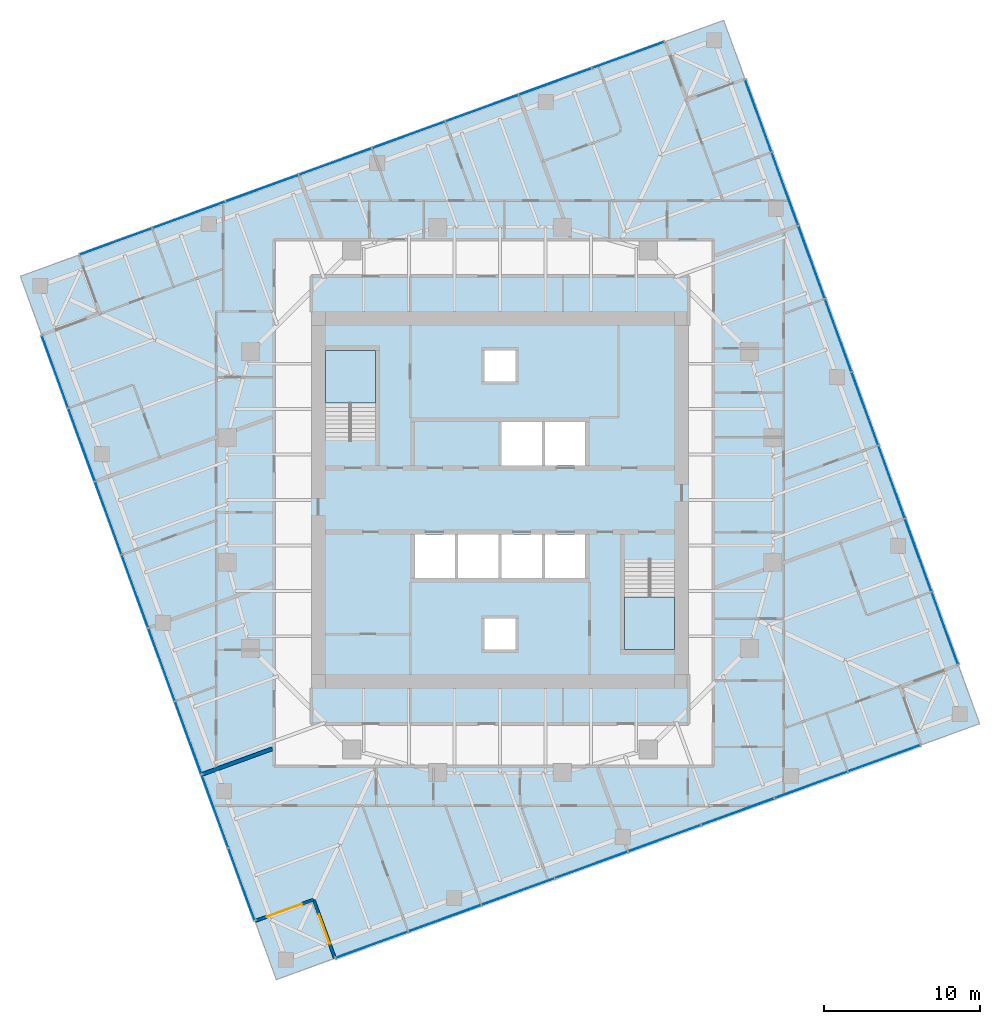
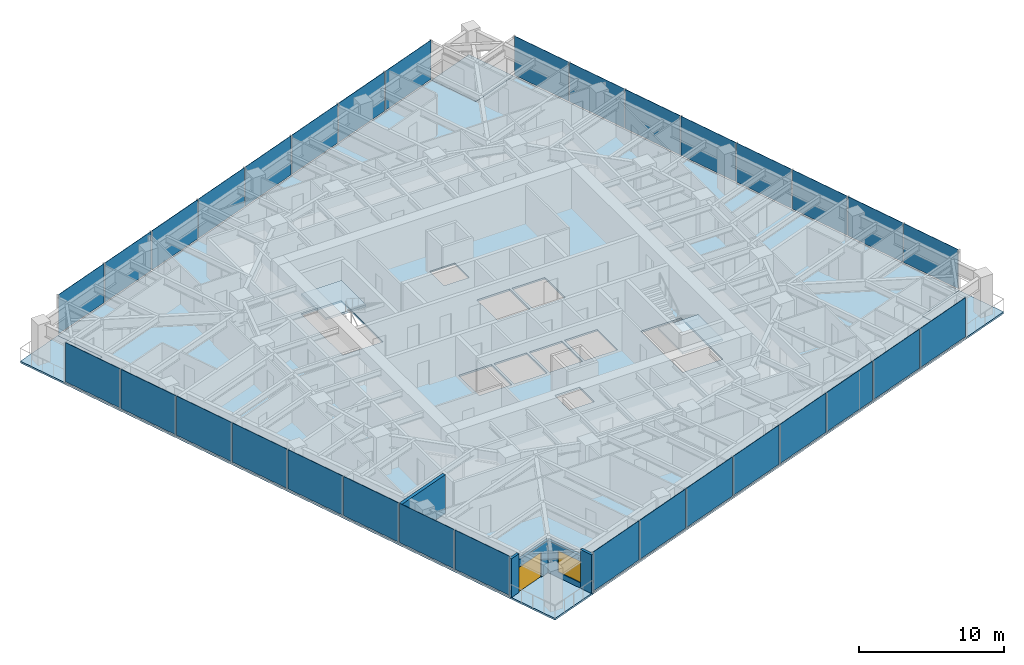
# One storey, part 6 of 13: 32 plates, 7 slabs, 5 walls, 1 door, 1 window, 2 openings, 6 elements without a shape of their own.
"""IFC4 building model written with IfcOpenShell, lengths in metres."""

from ifc_helpers import new_model, si_unit, direction, frame, frame_2d, origin, origin_2d, place, context, subcontext, project, spatial, polyline, rectangle, outline, extrude, material, layer, layer_set, type_object, element, fill, aggregate, save


model = new_model("IFC4")

# Units and contexts
model_context = context("Model", 3, precision=1e-05, world=origin(), true_north=direction((0.0, 1.0)))
body_context = subcontext(model_context, "Body", "Model", "MODEL_VIEW")
ifc_project = project(units=[si_unit("LENGTHUNIT", "METRE"), si_unit("AREAUNIT", "SQUARE_METRE"), si_unit("VOLUMEUNIT", "CUBIC_METRE"), si_unit("PLANEANGLEUNIT", "RADIAN"), si_unit("MASSUNIT", "GRAM", prefix="KILO")], contexts=[model_context])

# Site, building, storey
site_placement = place(None, origin())
site = spatial("IfcSite", under=ifc_project, at=site_placement, CompositionType="ELEMENT")
building_placement = place(site_placement, origin())
building = spatial("IfcBuilding", under=site, at=building_placement, Name="Torsade Residences", CompositionType="ELEMENT")
storey_placement = place(building_placement, frame((0.0, 0.0, 164.199951171875)))
storey = spatial("IfcBuildingStorey", under=building, at=storey_placement, Name="L45", CompositionType="ELEMENT", Elevation=164.199951171875)

# Slab
ifc_material_1 = material(Name="Concrete 40 MPa", Category="concrete")
ifc_layer_1 = layer(ifc_material_1, 0.14990234375)
ifc_layer_set_1 = layer_set([ifc_layer_1], Name="Concrete 40 MPa")
slab_type_1 = type_object("IfcSlabType", Name="COMPOSITE FLOOR SLAB 150", PredefinedType="FLOOR", material=ifc_layer_set_1)
slab_1_placement = place(storey_placement, frame((0.0, 0.0, -0.14990234375)))
element("IfcSlab", 1, at=slab_1_placement, inside=storey, type_object=slab_type_1, Name="Floor slab L45", PredefinedType="FLOOR", context=body_context, shape_type="SweptSolid", body=[
    extrude(outline(polyline([(29.41455078125, 0.60693359375), (67.00244140625, 14.287841796875), (65.63427734375, 18.046630859375), (69.39306640625, 19.41455078125), (55.712158203125, 57.00244140625), (51.953369140625, 55.63427734375), (50.58544921875, 59.39306640625), (12.99755859375, 45.712158203125), (14.36572265625, 41.953369140625), (10.60693359375, 40.58544921875), (24.287841796875, 2.99755859375), (28.046630859375, 4.36572265625), (29.41455078125, 0.60693359375)]), holes=[polyline([(51.199951171875, 26.1201171875), (48.0, 26.1201171875), (48.0, 20.39990234375), (51.199951171875, 20.39990234375), (51.199951171875, 26.1201171875)]), polyline([(45.5, 27.800048828125), (42.89990234375, 27.800048828125), (42.89990234375, 25.0), (45.5, 25.0), (45.5, 27.800048828125)]), polyline([(45.5, 35.0), (42.89990234375, 35.0), (42.89990234375, 32.199951171875), (45.5, 32.199951171875), (45.5, 35.0)]), polyline([(42.699951171875, 25.0), (42.699951171875, 27.800048828125), (40.10009765625, 27.800048828125), (40.10009765625, 25.0), (42.699951171875, 25.0)]), polyline([(42.699951171875, 35.0), (40.10009765625, 35.0), (40.10009765625, 32.199951171875), (42.699951171875, 32.199951171875), (42.699951171875, 35.0)]), polyline([(41.0, 22.39990234375), (39.0, 22.39990234375), (39.0, 20.39990234375), (41.0, 20.39990234375), (41.0, 22.39990234375)]), polyline([(41.0, 37.60009765625), (41.0, 39.60009765625), (39.0, 39.60009765625), (39.0, 37.60009765625), (41.0, 37.60009765625)]), polyline([(39.89990234375, 25.0), (39.89990234375, 27.800048828125), (37.300048828125, 27.800048828125), (37.300048828125, 25.0), (39.89990234375, 25.0)]), polyline([(37.10009765625, 27.800048828125), (34.5, 27.800048828125), (34.5, 25.0), (37.10009765625, 25.0), (37.10009765625, 27.800048828125)]), polyline([(32.0, 33.8798828125), (32.0, 39.60009765625), (28.800048828125, 39.60009765625), (28.800048828125, 33.8798828125), (32.0, 33.8798828125)])]), origin(), (0.0, 0.0, 1.0), 0.14990234375),
])

# Curtain wall, plates
ifc_material_2 = material(Name="Aluminium and glass", Category="aluminium")
curtain_wall_type = type_object("IfcCurtainWallType", Name="FRITTED GLASS CURTAIN WALL MID ZONE", PredefinedType="NOTDEFINED", material=ifc_material_2)
curtain_wall_1_placement = place(storey_placement, origin())
curtain_wall_1 = element("IfcCurtainWall", 2, at=curtain_wall_1_placement, inside=storey, type_object=curtain_wall_type, Name="Curtain wall L45 face 1", PredefinedType="NOTDEFINED")
ifc_material_3 = material(Name="Laminated glass", Category="glass")
ifc_layer_2 = layer(ifc_material_3, 0.031982421875)
ifc_layer_set_2 = layer_set([ifc_layer_2], Name="Laminated glass")
plate_type_1 = type_object("IfcPlateType", Name="FRITTED GLASS PANEL", PredefinedType="CURTAIN_PANEL", material=ifc_layer_set_2)
plate_1_placement = place(storey_placement, frame((31.78271484375, 1.46875, 0.110107421875), z_axis=(0.0, 0.0, 1.0), x_axis=(0.939692619132, 0.342020147869, 0.0)))
plate_1 = element("IfcPlate", 3, at=plate_1_placement, type_object=plate_type_1, Name="Panel 1", PredefinedType="CURTAIN_PANEL", context=body_context, shape_type="SweptSolid", body=[
    extrude(rectangle(XDim=4.8798828125, YDim=0.031982421875, at=origin_2d()), origin(), (0.0, 0.0, 1.0), 3.2900390625),
])
plate_2_placement = place(storey_placement, frame((41.160888671875, 4.88232421875, 0.110107421875), z_axis=(0.0, 0.0, 1.0), x_axis=(0.939692619132, 0.342020147869, 0.0)))
plate_2 = element("IfcPlate", 4, at=plate_2_placement, type_object=plate_type_1, Name="Panel 3", PredefinedType="CURTAIN_PANEL", context=body_context, shape_type="SweptSolid", body=[
    extrude(rectangle(XDim=4.919921875, YDim=0.031982421875, at=origin_2d()), origin(), (0.0, 0.0, 1.0), 3.2900390625),
])
plate_3_placement = place(storey_placement, frame((45.859130859375, 6.59228515625, 0.110107421875), z_axis=(0.0, 0.0, 1.0), x_axis=(0.939692619132, 0.342020147869, 0.0)))
plate_3 = element("IfcPlate", 5, at=plate_3_placement, type_object=plate_type_1, Name="Panel 4", PredefinedType="CURTAIN_PANEL", context=body_context, shape_type="SweptSolid", body=[
    extrude(rectangle(XDim=4.919921875, YDim=0.031982421875, at=origin_2d()), origin(), (0.0, 0.0, 1.0), 3.2900390625),
])
plate_4_placement = place(storey_placement, frame((50.5576171875, 8.302490234375, 0.110107421875), z_axis=(0.0, 0.0, 1.0), x_axis=(0.939692619132, 0.342020147869, 0.0)))
plate_4 = element("IfcPlate", 6, at=plate_4_placement, type_object=plate_type_1, Name="Panel 5", PredefinedType="CURTAIN_PANEL", context=body_context, shape_type="SweptSolid", body=[
    extrude(rectangle(XDim=4.919921875, YDim=0.031982421875, at=origin_2d()), origin(), (0.0, 0.0, 1.0), 3.2900390625),
])
plate_5_placement = place(storey_placement, frame((59.95458984375, 11.72265625, 0.110107421875), z_axis=(0.0, 0.0, 1.0), x_axis=(0.939692619132, 0.342020147869, 0.0)))
plate_5 = element("IfcPlate", 7, at=plate_5_placement, type_object=plate_type_1, Name="Panel 7", PredefinedType="CURTAIN_PANEL", context=body_context, shape_type="SweptSolid", body=[
    extrude(rectangle(XDim=4.919921875, YDim=0.031982421875, at=origin_2d()), origin(), (0.0, 0.0, 1.0), 3.2900390625),
])
plate_6_placement = place(storey_placement, frame((64.63427734375, 13.42578125, 0.110107421875), z_axis=(0.0, 0.0, 1.0), x_axis=(0.939692619132, 0.342020147869, 0.0)))
plate_6 = element("IfcPlate", 8, at=plate_6_placement, type_object=plate_type_1, Name="Panel 8", PredefinedType="CURTAIN_PANEL", context=body_context, shape_type="SweptSolid", body=[
    extrude(rectangle(XDim=4.8798828125, YDim=0.031982421875, at=origin_2d()), origin(), (0.0, 0.0, 1.0), 3.2900390625),
])

curtain_wall_2_placement = place(storey_placement, origin())
curtain_wall_2 = element("IfcCurtainWall", 9, at=curtain_wall_2_placement, inside=storey, type_object=curtain_wall_type, Name="Curtain wall L45 face 4", PredefinedType="NOTDEFINED")
plate_7_placement = place(storey_placement, frame((68.53125, 21.78271484375, 0.110107421875), z_axis=(0.0, 0.0, 1.0), x_axis=(-0.342020147869, 0.939692619132, 0.0)))
plate_7 = element("IfcPlate", 10, at=plate_7_placement, type_object=plate_type_1, Name="Panel 1", PredefinedType="CURTAIN_PANEL", context=body_context, shape_type="SweptSolid", body=[
    extrude(rectangle(XDim=4.8798828125, YDim=0.031982421875, at=origin_2d()), origin(), (0.0, 0.0, 1.0), 3.2900390625),
])
plate_8_placement = place(storey_placement, frame((65.11767578125, 31.160888671875, 0.110107421875), z_axis=(0.0, 0.0, 1.0), x_axis=(-0.342020147869, 0.939692619132, 0.0)))
plate_8 = element("IfcPlate", 11, at=plate_8_placement, type_object=plate_type_1, Name="Panel 3", PredefinedType="CURTAIN_PANEL", context=body_context, shape_type="SweptSolid", body=[
    extrude(rectangle(XDim=4.919921875, YDim=0.031982421875, at=origin_2d()), origin(), (0.0, 0.0, 1.0), 3.2900390625),
])
plate_9_placement = place(storey_placement, frame((63.40771484375, 35.859130859375, 0.110107421875), z_axis=(0.0, 0.0, 1.0), x_axis=(-0.342020147869, 0.939692619132, 0.0)))
plate_9 = element("IfcPlate", 12, at=plate_9_placement, type_object=plate_type_1, Name="Panel 4", PredefinedType="CURTAIN_PANEL", context=body_context, shape_type="SweptSolid", body=[
    extrude(rectangle(XDim=4.919921875, YDim=0.031982421875, at=origin_2d()), origin(), (0.0, 0.0, 1.0), 3.2900390625),
])
plate_10_placement = place(storey_placement, frame((61.697509765625, 40.5576171875, 0.110107421875), z_axis=(0.0, 0.0, 1.0), x_axis=(-0.342020147869, 0.939692619132, 0.0)))
plate_10 = element("IfcPlate", 13, at=plate_10_placement, type_object=plate_type_1, Name="Panel 5", PredefinedType="CURTAIN_PANEL", context=body_context, shape_type="SweptSolid", body=[
    extrude(rectangle(XDim=4.919921875, YDim=0.031982421875, at=origin_2d()), origin(), (0.0, 0.0, 1.0), 3.2900390625),
])
plate_11_placement = place(storey_placement, frame((58.27734375, 49.95458984375, 0.110107421875), z_axis=(0.0, 0.0, 1.0), x_axis=(-0.342020147869, 0.939692619132, 0.0)))
plate_11 = element("IfcPlate", 14, at=plate_11_placement, type_object=plate_type_1, Name="Panel 7", PredefinedType="CURTAIN_PANEL", context=body_context, shape_type="SweptSolid", body=[
    extrude(rectangle(XDim=4.919921875, YDim=0.031982421875, at=origin_2d()), origin(), (0.0, 0.0, 1.0), 3.2900390625),
])
plate_12_placement = place(storey_placement, frame((56.57421875, 54.63427734375, 0.110107421875), z_axis=(0.0, 0.0, 1.0), x_axis=(-0.342020147869, 0.939692619132, 0.0)))
plate_12 = element("IfcPlate", 15, at=plate_12_placement, type_object=plate_type_1, Name="Panel 8", PredefinedType="CURTAIN_PANEL", context=body_context, shape_type="SweptSolid", body=[
    extrude(rectangle(XDim=4.8798828125, YDim=0.031982421875, at=origin_2d()), origin(), (0.0, 0.0, 1.0), 3.2900390625),
])

curtain_wall_3_placement = place(storey_placement, origin())
curtain_wall_3 = element("IfcCurtainWall", 16, at=curtain_wall_3_placement, inside=storey, type_object=curtain_wall_type, Name="Curtain wall L45 face 7", PredefinedType="NOTDEFINED")
plate_13_placement = place(storey_placement, frame((48.21728515625, 58.53125, 0.110107421875), z_axis=(0.0, 0.0, 1.0), x_axis=(-0.939692619132, -0.342020147869, 0.0)))
plate_13 = element("IfcPlate", 17, at=plate_13_placement, type_object=plate_type_1, Name="Panel 1", PredefinedType="CURTAIN_PANEL", context=body_context, shape_type="SweptSolid", body=[
    extrude(rectangle(XDim=4.8798828125, YDim=0.031982421875, at=origin_2d()), origin(), (0.0, 0.0, 1.0), 3.2900390625),
])
plate_14_placement = place(storey_placement, frame((38.839111328125, 55.11767578125, 0.110107421875), z_axis=(0.0, 0.0, 1.0), x_axis=(-0.939692619132, -0.342020147869, 0.0)))
plate_14 = element("IfcPlate", 18, at=plate_14_placement, type_object=plate_type_1, Name="Panel 3", PredefinedType="CURTAIN_PANEL", context=body_context, shape_type="SweptSolid", body=[
    extrude(rectangle(XDim=4.919921875, YDim=0.031982421875, at=origin_2d()), origin(), (0.0, 0.0, 1.0), 3.2900390625),
])
plate_15_placement = place(storey_placement, frame((34.140869140625, 53.40771484375, 0.110107421875), z_axis=(0.0, 0.0, 1.0), x_axis=(-0.939692619132, -0.342020147869, 0.0)))
plate_15 = element("IfcPlate", 19, at=plate_15_placement, type_object=plate_type_1, Name="Panel 4", PredefinedType="CURTAIN_PANEL", context=body_context, shape_type="SweptSolid", body=[
    extrude(rectangle(XDim=4.919921875, YDim=0.031982421875, at=origin_2d()), origin(), (0.0, 0.0, 1.0), 3.2900390625),
])
plate_16_placement = place(storey_placement, frame((29.4423828125, 51.697509765625, 0.110107421875), z_axis=(0.0, 0.0, 1.0), x_axis=(-0.939692619132, -0.342020147869, 0.0)))
plate_16 = element("IfcPlate", 20, at=plate_16_placement, type_object=plate_type_1, Name="Panel 5", PredefinedType="CURTAIN_PANEL", context=body_context, shape_type="SweptSolid", body=[
    extrude(rectangle(XDim=4.919921875, YDim=0.031982421875, at=origin_2d()), origin(), (0.0, 0.0, 1.0), 3.2900390625),
])
plate_17_placement = place(storey_placement, frame((20.04541015625, 48.27734375, 0.110107421875), z_axis=(0.0, 0.0, 1.0), x_axis=(-0.939692619132, -0.342020147869, 0.0)))
plate_17 = element("IfcPlate", 21, at=plate_17_placement, type_object=plate_type_1, Name="Panel 7", PredefinedType="CURTAIN_PANEL", context=body_context, shape_type="SweptSolid", body=[
    extrude(rectangle(XDim=4.919921875, YDim=0.031982421875, at=origin_2d()), origin(), (0.0, 0.0, 1.0), 3.2900390625),
])
plate_18_placement = place(storey_placement, frame((15.36572265625, 46.57421875, 0.110107421875), z_axis=(0.0, 0.0, 1.0), x_axis=(-0.939692619132, -0.342020147869, 0.0)))
plate_18 = element("IfcPlate", 22, at=plate_18_placement, type_object=plate_type_1, Name="Panel 8", PredefinedType="CURTAIN_PANEL", context=body_context, shape_type="SweptSolid", body=[
    extrude(rectangle(XDim=4.8798828125, YDim=0.031982421875, at=origin_2d()), origin(), (0.0, 0.0, 1.0), 3.2900390625),
])

curtain_wall_4_placement = place(storey_placement, origin())
curtain_wall_4 = element("IfcCurtainWall", 23, at=curtain_wall_4_placement, inside=storey, type_object=curtain_wall_type, Name="Curtain wall L45 face 10", PredefinedType="NOTDEFINED")
plate_19_placement = place(storey_placement, frame((11.46875, 38.21728515625, 0.110107421875), z_axis=(0.0, 0.0, 1.0), x_axis=(0.342020147869, -0.939692619132, 0.0)))
plate_19 = element("IfcPlate", 24, at=plate_19_placement, type_object=plate_type_1, Name="Panel 1", PredefinedType="CURTAIN_PANEL", context=body_context, shape_type="SweptSolid", body=[
    extrude(rectangle(XDim=4.8798828125, YDim=0.031982421875, at=origin_2d()), origin(), (0.0, 0.0, 1.0), 3.2900390625),
])
plate_20_placement = place(storey_placement, frame((14.88232421875, 28.839111328125, 0.110107421875), z_axis=(0.0, 0.0, 1.0), x_axis=(0.342020147869, -0.939692619132, 0.0)))
plate_20 = element("IfcPlate", 25, at=plate_20_placement, type_object=plate_type_1, Name="Panel 3", PredefinedType="CURTAIN_PANEL", context=body_context, shape_type="SweptSolid", body=[
    extrude(rectangle(XDim=4.919921875, YDim=0.031982421875, at=origin_2d()), origin(), (0.0, 0.0, 1.0), 3.2900390625),
])
plate_21_placement = place(storey_placement, frame((16.59228515625, 24.140869140625, 0.110107421875), z_axis=(0.0, 0.0, 1.0), x_axis=(0.342020147869, -0.939692619132, 0.0)))
plate_21 = element("IfcPlate", 26, at=plate_21_placement, type_object=plate_type_1, Name="Panel 4", PredefinedType="CURTAIN_PANEL", context=body_context, shape_type="SweptSolid", body=[
    extrude(rectangle(XDim=4.919921875, YDim=0.031982421875, at=origin_2d()), origin(), (0.0, 0.0, 1.0), 3.2900390625),
])
plate_22_placement = place(storey_placement, frame((18.302490234375, 19.4423828125, 0.110107421875), z_axis=(0.0, 0.0, 1.0), x_axis=(0.342020147869, -0.939692619132, 0.0)))
plate_22 = element("IfcPlate", 27, at=plate_22_placement, type_object=plate_type_1, Name="Panel 5", PredefinedType="CURTAIN_PANEL", context=body_context, shape_type="SweptSolid", body=[
    extrude(rectangle(XDim=4.919921875, YDim=0.031982421875, at=origin_2d()), origin(), (0.0, 0.0, 1.0), 3.2900390625),
])
plate_23_placement = place(storey_placement, frame((21.72265625, 10.04541015625, 0.110107421875), z_axis=(0.0, 0.0, 1.0), x_axis=(0.342020147869, -0.939692619132, 0.0)))
plate_23 = element("IfcPlate", 28, at=plate_23_placement, type_object=plate_type_1, Name="Panel 7", PredefinedType="CURTAIN_PANEL", context=body_context, shape_type="SweptSolid", body=[
    extrude(rectangle(XDim=4.919921875, YDim=0.031982421875, at=origin_2d()), origin(), (0.0, 0.0, 1.0), 3.2900390625),
])
plate_24_placement = place(storey_placement, frame((23.42578125, 5.36572265625, 0.110107421875), z_axis=(0.0, 0.0, 1.0), x_axis=(0.342020147869, -0.939692619132, 0.0)))
plate_24 = element("IfcPlate", 29, at=plate_24_placement, type_object=plate_type_1, Name="Panel 8", PredefinedType="CURTAIN_PANEL", context=body_context, shape_type="SweptSolid", body=[
    extrude(rectangle(XDim=4.8798828125, YDim=0.031982421875, at=origin_2d()), origin(), (0.0, 0.0, 1.0), 3.2900390625),
])

# Plate
ifc_material_4 = material(Name="Laminated glass", Category="glass")
ifc_layer_3 = layer(ifc_material_4, 0.0400390625)
ifc_layer_set_3 = layer_set([ifc_layer_3], Name="Laminated glass")
plate_type_2 = type_object("IfcPlateType", Name="OPERABLE VENT PANEL", PredefinedType="CURTAIN_PANEL", material=ifc_layer_set_3)
plate_25_placement = place(storey_placement, frame((36.46240234375, 3.172119140625, 0.110107421875), z_axis=(0.0, 0.0, 1.0), x_axis=(0.939692619132, 0.342020147869, 0.0)))
plate_25 = element("IfcPlate", 30, at=plate_25_placement, type_object=plate_type_2, Name="Panel 2", PredefinedType="CURTAIN_PANEL", context=body_context, shape_type="SweptSolid", body=[
    extrude(rectangle(XDim=4.919921875, YDim=0.0400390625, at=origin_2d()), origin(), (0.0, 0.0, 1.0), 3.2900390625),
])

plate_26_placement = place(storey_placement, frame((55.256103515625, 10.012451171875, 0.110107421875), z_axis=(0.0, 0.0, 1.0), x_axis=(0.939692619132, 0.342020147869, 0.0)))
plate_26 = element("IfcPlate", 31, at=plate_26_placement, type_object=plate_type_2, Name="Panel 6", PredefinedType="CURTAIN_PANEL", context=body_context, shape_type="SweptSolid", body=[
    extrude(rectangle(XDim=4.919921875, YDim=0.0400390625, at=origin_2d()), origin(), (0.0, 0.0, 1.0), 3.2900390625),
])

aggregate(curtain_wall_1, [plate_1, plate_25, plate_2, plate_3, plate_4, plate_26, plate_5, plate_6])

plate_27_placement = place(storey_placement, frame((66.827880859375, 26.46240234375, 0.110107421875), z_axis=(0.0, 0.0, 1.0), x_axis=(-0.342020147869, 0.939692619132, 0.0)))
plate_27 = element("IfcPlate", 32, at=plate_27_placement, type_object=plate_type_2, Name="Panel 2", PredefinedType="CURTAIN_PANEL", context=body_context, shape_type="SweptSolid", body=[
    extrude(rectangle(XDim=4.919921875, YDim=0.0400390625, at=origin_2d()), origin(), (0.0, 0.0, 1.0), 3.2900390625),
])

plate_28_placement = place(storey_placement, frame((59.987548828125, 45.256103515625, 0.110107421875), z_axis=(0.0, 0.0, 1.0), x_axis=(-0.342020147869, 0.939692619132, 0.0)))
plate_28 = element("IfcPlate", 33, at=plate_28_placement, type_object=plate_type_2, Name="Panel 6", PredefinedType="CURTAIN_PANEL", context=body_context, shape_type="SweptSolid", body=[
    extrude(rectangle(XDim=4.919921875, YDim=0.0400390625, at=origin_2d()), origin(), (0.0, 0.0, 1.0), 3.2900390625),
])

aggregate(curtain_wall_2, [plate_7, plate_27, plate_8, plate_9, plate_10, plate_28, plate_11, plate_12])

plate_29_placement = place(storey_placement, frame((43.53759765625, 56.827880859375, 0.110107421875), z_axis=(0.0, 0.0, 1.0), x_axis=(-0.939692619132, -0.342020147869, 0.0)))
plate_29 = element("IfcPlate", 34, at=plate_29_placement, type_object=plate_type_2, Name="Panel 2", PredefinedType="CURTAIN_PANEL", context=body_context, shape_type="SweptSolid", body=[
    extrude(rectangle(XDim=4.919921875, YDim=0.0400390625, at=origin_2d()), origin(), (0.0, 0.0, 1.0), 3.2900390625),
])

plate_30_placement = place(storey_placement, frame((24.743896484375, 49.987548828125, 0.110107421875), z_axis=(0.0, 0.0, 1.0), x_axis=(-0.939692619132, -0.342020147869, 0.0)))
plate_30 = element("IfcPlate", 35, at=plate_30_placement, type_object=plate_type_2, Name="Panel 6", PredefinedType="CURTAIN_PANEL", context=body_context, shape_type="SweptSolid", body=[
    extrude(rectangle(XDim=4.919921875, YDim=0.0400390625, at=origin_2d()), origin(), (0.0, 0.0, 1.0), 3.2900390625),
])

aggregate(curtain_wall_3, [plate_13, plate_29, plate_14, plate_15, plate_16, plate_30, plate_17, plate_18])

plate_31_placement = place(storey_placement, frame((13.172119140625, 33.53759765625, 0.110107421875), z_axis=(0.0, 0.0, 1.0), x_axis=(0.342020147869, -0.939692619132, 0.0)))
plate_31 = element("IfcPlate", 36, at=plate_31_placement, type_object=plate_type_2, Name="Panel 2", PredefinedType="CURTAIN_PANEL", context=body_context, shape_type="SweptSolid", body=[
    extrude(rectangle(XDim=4.919921875, YDim=0.0400390625, at=origin_2d()), origin(), (0.0, 0.0, 1.0), 3.2900390625),
])

plate_32_placement = place(storey_placement, frame((20.012451171875, 14.743896484375, 0.110107421875), z_axis=(0.0, 0.0, 1.0), x_axis=(0.342020147869, -0.939692619132, 0.0)))
plate_32 = element("IfcPlate", 37, at=plate_32_placement, type_object=plate_type_2, Name="Panel 6", PredefinedType="CURTAIN_PANEL", context=body_context, shape_type="SweptSolid", body=[
    extrude(rectangle(XDim=4.919921875, YDim=0.0400390625, at=origin_2d()), origin(), (0.0, 0.0, 1.0), 3.2900390625),
])

aggregate(curtain_wall_4, [plate_19, plate_31, plate_20, plate_21, plate_22, plate_32, plate_23, plate_24])

# Stair, slab
ifc_material_5 = material(Name="Precast concrete 40 MPa", Category="concrete")
stair_type = type_object("IfcStairType", Name="HALF-TURN FIRE STAIR 1500x3400", PredefinedType="HALF_TURN_STAIR", material=ifc_material_5)
stair_1_placement = place(storey_placement, origin())
stair_1 = element("IfcStair", 38, at=stair_1_placement, inside=storey, type_object=stair_type, Name="Stair ST1 L45", PredefinedType="HALF_TURN_STAIR")
ifc_material_6 = material(Name="Precast concrete 40 MPa", Category="concrete")
ifc_layer_4 = layer(ifc_material_6, 0.179931640625)
ifc_layer_set_4 = layer_set([ifc_layer_4], Name="Precast concrete 40 MPa")
slab_type_2 = type_object("IfcSlabType", Name="PRECAST STAIR LANDING 180", PredefinedType="LANDING", material=ifc_layer_set_4)
slab_2_placement = place(storey_placement, frame((0.0, 0.0, 1.52001953125)))
slab_2 = element("IfcSlab", 39, at=slab_2_placement, type_object=slab_type_2, Name="ST1 landing 1", PredefinedType="LANDING", context=body_context, shape_type="SweptSolid", body=[
    extrude(outline(polyline([(28.800048828125, 36.2099609375), (32.0, 36.2099609375), (32.0, 39.60009765625), (28.800048828125, 39.60009765625), (28.800048828125, 36.2099609375)])), origin(), (0.0, 0.0, 1.0), 0.179931640625),
])
aggregate(stair_1, [slab_2])

stair_2_placement = place(storey_placement, origin())
stair_2 = element("IfcStair", 40, at=stair_2_placement, inside=storey, type_object=stair_type, Name="Stair ST2 L45", PredefinedType="HALF_TURN_STAIR")
slab_3_placement = place(storey_placement, frame((0.0, 0.0, 1.52001953125)))
slab_3 = element("IfcSlab", 41, at=slab_3_placement, type_object=slab_type_2, Name="ST2 landing 1", PredefinedType="LANDING", context=body_context, shape_type="SweptSolid", body=[
    extrude(outline(polyline([(48.0, 20.39990234375), (51.199951171875, 20.39990234375), (51.199951171875, 23.7900390625), (48.0, 23.7900390625), (48.0, 20.39990234375)])), origin(), (0.0, 0.0, 1.0), 0.179931640625),
])
aggregate(stair_2, [slab_3])

# Slabs
ifc_material_7 = material(Name="Concrete 40 MPa", Category="concrete")
ifc_layer_5 = layer(ifc_material_7, 0.14990234375)
ifc_layer_set_5 = layer_set([ifc_layer_5], Name="Concrete 40 MPa")
slab_type_3 = type_object("IfcSlabType", Name="TERRACE SLAB 150", PredefinedType="FLOOR", material=ifc_layer_set_5)
slab_4_placement = place(storey_placement, frame((0.0, 0.0, -0.14990234375)))
element("IfcSlab", 42, at=slab_4_placement, inside=storey, type_object=slab_type_3, Name="Corner terrace slab SE L45", PredefinedType="FLOOR", context=body_context, shape_type="SweptSolid", body=[
    extrude(outline(polyline([(67.00244140625, 14.287841796875), (70.760986328125, 15.65576171875), (69.39306640625, 19.41455078125), (65.63427734375, 18.046630859375), (67.00244140625, 14.287841796875)])), origin(), (0.0, 0.0, 1.0), 0.14990234375),
])
slab_5_placement = place(storey_placement, frame((0.0, 0.0, -0.14990234375)))
element("IfcSlab", 43, at=slab_5_placement, inside=storey, type_object=slab_type_3, Name="Corner terrace slab NE L45", PredefinedType="FLOOR", context=body_context, shape_type="SweptSolid", body=[
    extrude(outline(polyline([(51.953369140625, 55.63427734375), (55.712158203125, 57.00244140625), (54.34423828125, 60.760986328125), (50.58544921875, 59.39306640625), (51.953369140625, 55.63427734375)])), origin(), (0.0, 0.0, 1.0), 0.14990234375),
])
slab_6_placement = place(storey_placement, frame((0.0, 0.0, -0.14990234375)))
element("IfcSlab", 44, at=slab_6_placement, inside=storey, type_object=slab_type_3, Name="Corner terrace slab NW L45", PredefinedType="FLOOR", context=body_context, shape_type="SweptSolid", body=[
    extrude(outline(polyline([(10.60693359375, 40.58544921875), (14.36572265625, 41.953369140625), (12.99755859375, 45.712158203125), (9.239013671875, 44.34423828125), (10.60693359375, 40.58544921875)])), origin(), (0.0, 0.0, 1.0), 0.14990234375),
])
slab_7_placement = place(storey_placement, frame((0.0, 0.0, -0.14990234375)))
element("IfcSlab", 45, at=slab_7_placement, inside=storey, type_object=slab_type_3, Name="Corner terrace slab SW L45", PredefinedType="FLOOR", context=body_context, shape_type="SweptSolid", body=[
    extrude(outline(polyline([(25.65576171875, -0.760986328125), (29.41455078125, 0.60693359375), (28.046630859375, 4.36572265625), (24.287841796875, 2.99755859375), (25.65576171875, -0.760986328125)])), origin(), (0.0, 0.0, 1.0), 0.14990234375),
])

# Walls
ifc_material_8 = material(Name="Masonry-lined stud party wall", Category="masonry")
ifc_layer_6 = layer(ifc_material_8, 0.25)
ifc_layer_set_6 = layer_set([ifc_layer_6], Name="Masonry-lined stud party wall")
wall_type_1 = type_object("IfcWallType", Name="PARTY WALL 250", PredefinedType="PARTITIONING", material=ifc_layer_set_6)
wall_1_placement = place(storey_placement, frame((20.86767578125, 12.39453125, 0.0), z_axis=(0.0, 0.0, 1.0), x_axis=(0.939677962656, 0.342060413521, 0.0)))
element("IfcWall", 46, at=wall_1_placement, inside=storey, type_object=wall_type_1, Name="Party wall L45", PredefinedType="PARTITIONING", context=body_context, shape_type="SweptSolid", body=[
    extrude(rectangle(XDim=4.817626953125, YDim=0.25, at=frame_2d((2.40869140625, 0.0))), origin(), (0.0, 0.0, 1.0), 3.25),
])
ifc_material_9 = material(Name="Stone-faced precast concrete 40 MPa panel", Category="masonry")
ifc_layer_7 = layer(ifc_material_9, 0.199951171875)
ifc_layer_set_7 = layer_set([ifc_layer_7], Name="Stone-faced precast concrete 40 MPa panel")
wall_type_2 = type_object("IfcWallType", Name="TERRACE WALL 200", PredefinedType="SOLIDWALL", material=ifc_layer_set_7)
wall_2_placement = place(storey_placement, frame((24.287841796875, 2.99755859375, 0.0), z_axis=(0.0, 0.0, 1.0), x_axis=(0.939659694648, 0.342110593602, 0.0)))
element("IfcWall", 47, at=wall_2_placement, inside=storey, type_object=wall_type_2, Name="Terrace wall L45 11", PredefinedType="SOLIDWALL", context=body_context, shape_type="SweptSolid", body=[
    extrude(rectangle(XDim=0.800048828125, YDim=0.199951171875, at=frame_2d((0.39990234375, 0.0))), origin(), (0.0, 0.0, 1.0), 3.25),
])

# Wall, opening, door
wall_3_placement = place(storey_placement, frame((25.03955078125, 3.271240234375, 0.0), z_axis=(0.0, 0.0, 1.0), x_axis=(0.939693144909, 0.342018703306, 0.0)))
wall_3 = element("IfcWall", 48, at=wall_3_placement, inside=storey, type_object=wall_type_2, Name="Terrace wall L45 11", PredefinedType="SOLIDWALL", context=body_context, shape_type="SweptSolid", body=[
    extrude(rectangle(XDim=3.199951171875, YDim=0.199951171875, at=frame_2d((1.60009765625, 0.0))), origin(), (0.0, 0.0, 1.0), 2.72216796875),
])
opening_1_placement = place(wall_3_placement, origin())
opening_1 = element("IfcOpeningElement", 49, at=opening_1_placement, cuts=wall_3, Name="Opening D10A", PredefinedType="OPENING", context=body_context, shape_type="SweptSolid", body=[
    extrude(rectangle(XDim=2.39990234375, YDim=2.10009765625, at=frame_2d((1.199951171875, 1.050048828125))), frame((0.0, 0.10986328125, 0.0), z_axis=(0.0, -1.0, 0.0), x_axis=(1.0, 0.0, 0.0)), (0.0, 0.0, 1.0), 0.219970703125),
])
ifc_material_10 = material(Name="Aluminium-framed glass door", Category="aluminium")
door_type = type_object("IfcDoorType", Name="TERRACE SLIDING DOOR 2400x2100", OperationType="SLIDING_TO_LEFT", PredefinedType="DOOR", material=ifc_material_10)
door_placement = place(opening_1_placement, origin())
door = element("IfcDoor", 50, at=door_placement, inside=storey, type_object=door_type, Name="Terrace door L45 11", OperationType="SLIDING_TO_LEFT", OverallHeight=2.10009765625, OverallWidth=2.39990234375, PredefinedType="DOOR", context=body_context, shape_type="SweptSolid", body=[
    extrude(rectangle(XDim=2.39990234375, YDim=2.10009765625, at=frame_2d((1.199951171875, 1.050048828125))), frame((0.0, 0.02490234375, 0.0), z_axis=(0.0, -1.0, 0.0), x_axis=(1.0, 0.0, 0.0)), (0.0, 0.0, 1.0), 0.050048828125),
])
fill(opening_1, door)

# Wall, opening, window
wall_4_placement = place(storey_placement, frame((28.046630859375, 4.36572265625, 0.0), z_axis=(0.0, 0.0, 1.0), x_axis=(0.341965219194, -0.939712609717, 0.0)))
wall_4 = element("IfcWall", 51, at=wall_4_placement, inside=storey, type_object=wall_type_2, Name="Terrace wall L45 12", PredefinedType="SOLIDWALL", context=body_context, shape_type="SweptSolid", body=[
    extrude(rectangle(XDim=3.0, YDim=0.199951171875, at=frame_2d((1.5, 0.0))), origin(), (0.0, 0.0, 1.0), 2.72216796875),
])
opening_2_placement = place(wall_4_placement, frame((1.0, 0.0, 0.449951171875)))
opening_2 = element("IfcOpeningElement", 52, at=opening_2_placement, cuts=wall_4, Name="Opening W1B", PredefinedType="OPENING", context=body_context, shape_type="SweptSolid", body=[
    extrude(rectangle(XDim=2.0, YDim=1.800048828125, at=frame_2d((1.0, 0.89990234375))), frame((0.0, 0.10986328125, 0.0), z_axis=(0.0, -1.0, 0.0), x_axis=(1.0, 0.0, 0.0)), (0.0, 0.0, 1.0), 0.219970703125),
])
ifc_material_11 = material(Name="Aluminium-framed glass window", Category="aluminium")
window_type = type_object("IfcWindowType", Name="TERRACE WINDOW 2000x1800", PartitioningType="SINGLE_PANEL", PredefinedType="WINDOW", material=ifc_material_11)
window_placement = place(opening_2_placement, origin())
window = element("IfcWindow", 53, at=window_placement, inside=storey, type_object=window_type, Name="Terrace window L45 12", OverallHeight=1.800048828125, OverallWidth=2.0, PartitioningType="SINGLE_PANEL", PredefinedType="WINDOW", context=body_context, shape_type="SweptSolid", body=[
    extrude(rectangle(XDim=2.0, YDim=1.800048828125, at=frame_2d((1.0, 0.89990234375))), frame((0.0, 0.030029296875, 0.0), z_axis=(0.0, -1.0, 0.0), x_axis=(1.0, 0.0, 0.0)), (0.0, 0.0, 1.0), 0.06005859375),
])
fill(opening_2, window)

# Wall
wall_5_placement = place(storey_placement, frame((29.072509765625, 1.546630859375, 0.0), z_axis=(0.0, 0.0, 1.0), x_axis=(0.342037080957, -0.939686455819, 0.0)))
element("IfcWall", 54, at=wall_5_placement, inside=storey, type_object=wall_type_2, Name="Terrace wall L45 12", PredefinedType="SOLIDWALL", context=body_context, shape_type="SweptSolid", body=[
    extrude(rectangle(XDim=1.0, YDim=0.199951171875, at=frame_2d((0.5, 0.0))), origin(), (0.0, 0.0, 1.0), 3.25),
])

save(model, "model.ifc")
